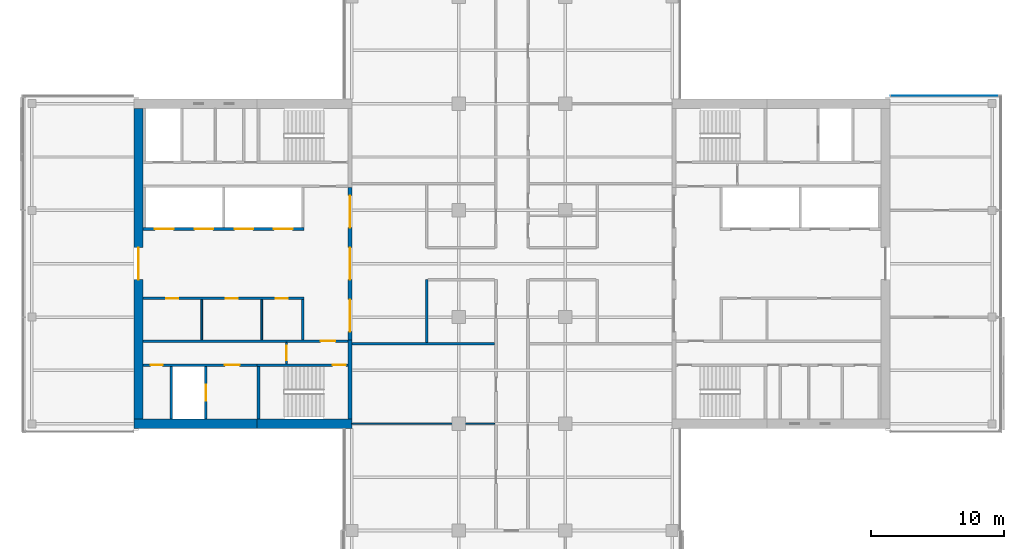
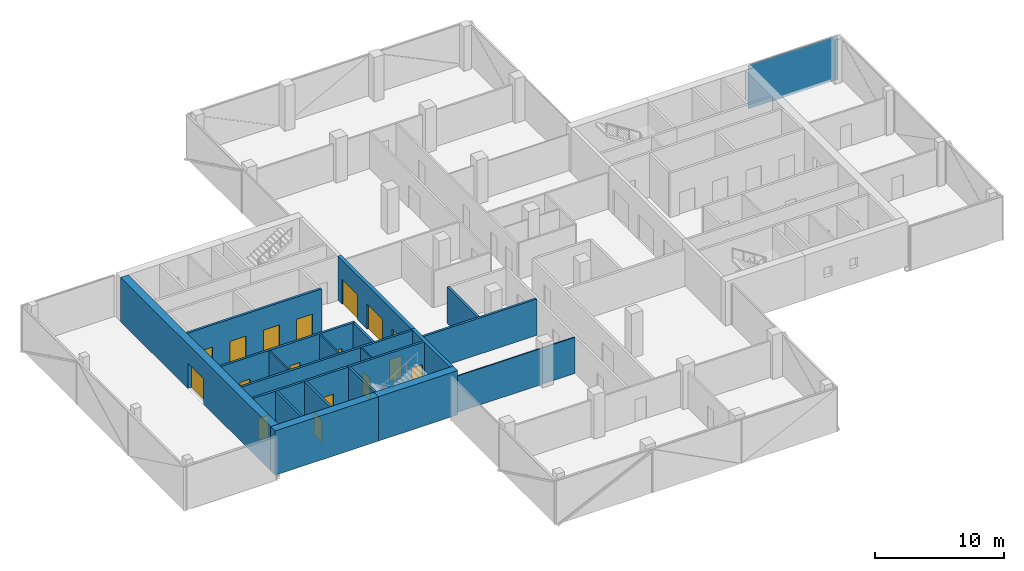
# One storey, part 13 of 22: 20 walls, 17 doors, 1 plate, 17 openings, 1 element without a shape of its own.
"""IFC4 building model written with IfcOpenShell, lengths in metres."""

from ifc_helpers import new_model, si_unit, direction, frame, frame_2d, origin, place, context, subcontext, project, spatial, polyline, rectangle, outline, extrude, material, layer, layer_set, constituent, constituent_set, type_object, element, fill, aggregate, save


model = new_model("IFC4")

# Units and contexts
model_context = context("Model", 3, precision=1e-05, world=origin(), true_north=direction((0.0, 1.0)))
body_context = subcontext(model_context, "Body", "Model", "MODEL_VIEW")
ifc_project = project(units=[si_unit("LENGTHUNIT", "METRE"), si_unit("AREAUNIT", "SQUARE_METRE"), si_unit("VOLUMEUNIT", "CUBIC_METRE"), si_unit("PLANEANGLEUNIT", "RADIAN"), si_unit("MASSUNIT", "GRAM", prefix="KILO")], contexts=[model_context])

# Site, building, storey
site_placement = place(None, origin())
site = spatial("IfcSite", under=ifc_project, at=site_placement, CompositionType="ELEMENT")
building_placement = place(site_placement, origin())
building = spatial("IfcBuilding", under=site, at=building_placement, Name="Crosswind Convention Tower", CompositionType="ELEMENT")
storey_placement = place(building_placement, frame((0.0, 0.0, 150.5)))
storey = spatial("IfcBuildingStorey", under=building, at=storey_placement, Name="L31", CompositionType="ELEMENT", Elevation=150.5)

# Curtain wall, plate
ifc_material_1 = material(Name="Aluminium unitised curtain wall", Category="aluminium")
curtain_wall_type = type_object("IfcCurtainWallType", Name="CORE END SLOT WALL 160", PredefinedType="USERDEFINED", material=ifc_material_1)
curtain_wall_placement = place(storey_placement, origin())
curtain_wall = element("IfcCurtainWall", 1, at=curtain_wall_placement, inside=storey, type_object=curtain_wall_type, Name="CW6 L31 E-N.1-1 slot", ObjectType="UNITISED", PredefinedType="USERDEFINED")
ifc_material_2 = material(Name="Laminated insulating glass unit", Category="glass")
ifc_layer_1 = layer(ifc_material_2, 0.02587890625)
ifc_layer_set_1 = layer_set([ifc_layer_1], Name="TRIANGULAR GLASS PANEL 26")
plate_type = type_object("IfcPlateType", Name="TRIANGULAR GLASS PANEL 26", PredefinedType="CURTAIN_PANEL", material=ifc_layer_set_1)
plate_placement = place(storey_placement, frame((161.449951171875, 112.60693359375, -0.300048828125), z_axis=(0.0, 0.999999915215, 0.000411788894), x_axis=(-1.0, 0.0, 0.0)))
plate = element("IfcPlate", 2, at=plate_placement, type_object=plate_type, Name="CW6 panel 1.1", PredefinedType="CURTAIN_PANEL", context=body_context, shape_type="SweptSolid", body=[
    extrude(outline(polyline([(0.0, 0.0), (8.050048828125, 0.0), (8.050048828125, 4.150146836245408), (0.0, 4.150146836245408), (0.0, 0.0)])), origin(), (0.0, 0.0, -1.0), 0.02587890625),
])
aggregate(curtain_wall, [plate])

# Walls
ifc_material_3 = material(Name="Concrete blockwork", Category="masonry")
ifc_layer_2 = layer(ifc_material_3, 0.199951171875)
ifc_layer_set_2 = layer_set([ifc_layer_2], Name="COMPARTMENT WALL 200 BLOCKWORK")
wall_type_1 = type_object("IfcWallType", Name="COMPARTMENT WALL 200 BLOCKWORK", PredefinedType="SOLIDWALL", material=ifc_layer_set_2)
wall_1_placement = place(storey_placement, frame((118.60009765625, 94.10009765625, 0.0), z_axis=(0.0, 0.0, 1.0), x_axis=(0.0, 1.0, 0.0)))
element("IfcWall", 3, at=wall_1_placement, inside=storey, type_object=wall_type_1, Name="Compartment wall WT42", PredefinedType="SOLIDWALL", context=body_context, shape_type="SweptSolid", body=[
    extrude(rectangle(XDim=4.699951171875, YDim=0.199951171875, at=frame_2d((2.35009765625, 0.0))), origin(), (0.0, 0.0, 1.0), 3.436279296875),
])
wall_2_placement = place(storey_placement, frame((113.0, 94.0, 0.0), z_axis=(0.0, 0.0, 1.0), x_axis=(1.0, 0.0, 0.0)))
element("IfcWall", 4, at=wall_2_placement, inside=storey, type_object=wall_type_1, Name="Compartment wall WT42", PredefinedType="SOLIDWALL", context=body_context, shape_type="SweptSolid", body=[
    extrude(rectangle(XDim=10.699951171875, YDim=0.199951171875, at=frame_2d((5.35009765625, 0.0))), origin(), (0.0, 0.0, 1.0), 3.436279296875),
])

# Wall, opening, door
ifc_material_4 = material(Name="Concrete C60/75", Category="concrete")
ifc_layer_3 = layer(ifc_material_4, 0.699951171875)
ifc_layer_set_3 = layer_set([ifc_layer_3], Name="Concrete C60/75")
wall_type_2 = type_object("IfcWallType", Name="Concrete core wall 700", PredefinedType="SHEAR", material=ifc_layer_set_3)
wall_3_placement = place(storey_placement, frame((97.0, 111.64990234375, 0.0), z_axis=(0.0, 0.0, 1.0), x_axis=(0.0, -1.0, 0.0)))
wall_3 = element("IfcWall", 5, at=wall_3_placement, inside=storey, type_object=wall_type_2, Name="Wall O W L31", PredefinedType="SHEAR", context=body_context, shape_type="SweptSolid", body=[
    extrude(rectangle(XDim=23.2998046875, YDim=0.699951171875, at=frame_2d((11.64990234375, 0.0))), origin(), (0.0, 0.0, 1.0), 4.199951171875),
])
opening_1_placement = place(wall_3_placement, frame((10.449951171875, 0.0, 0.0)))
opening_1 = element("IfcOpeningElement", 6, at=opening_1_placement, cuts=wall_3, Name="Opening D100", PredefinedType="OPENING", context=body_context, shape_type="SweptSolid", body=[
    extrude(rectangle(XDim=2.39990234375, YDim=2.39990234375, at=frame_2d((1.199951171875, 1.199951171875))), frame((0.0, 0.35986328125, 0.0), z_axis=(0.0, -1.0, 0.0), x_axis=(1.0, 0.0, 0.0)), (0.0, 0.0, 1.0), 0.719970703125),
])
ifc_material_5 = material(Name="Steel fire door with glazed vision panels", Category="steel")
door_type_1 = type_object("IfcDoorType", Name="Fire-rated double door 2400x2400", OperationType="DOUBLE_DOOR_SINGLE_SWING", PredefinedType="DOOR", material=ifc_material_5)
door_1_placement = place(opening_1_placement, frame((2.39990234375, 0.0, 0.0), z_axis=(0.0, 0.0, 1.0), x_axis=(-1.0, 0.0, 0.0)))
door_1 = element("IfcDoor", 7, at=door_1_placement, inside=storey, type_object=door_type_1, Name="Lobby outer door L31", ObjectType="D100", OperationType="DOUBLE_DOOR_SINGLE_SWING", OverallHeight=2.39990234375, OverallWidth=2.39990234375, PredefinedType="DOOR", context=body_context, shape_type="SweptSolid", body=[
    extrude(rectangle(XDim=2.39990234375, YDim=2.39990234375, at=frame_2d((1.199951171875, 1.199951171875))), frame((0.0, 0.02490234375, 0.0), z_axis=(0.0, -1.0, 0.0), x_axis=(1.0, 0.0, 0.0)), (0.0, 0.0, 1.0), 0.050048828125),
])
fill(opening_1, door_1)

# Wall, openings, doors
ifc_material_6 = material(Name="Concrete C50/60", Category="concrete")
ifc_layer_4 = layer(ifc_material_6, 0.300048828125)
ifc_layer_set_4 = layer_set([ifc_layer_4], Name="Concrete C50/60")
wall_type_3 = type_object("IfcWallType", Name="Concrete inner core wall 300", PredefinedType="SHEAR", material=ifc_layer_set_4)
wall_4_placement = place(storey_placement, frame((112.85009765625, 105.699951171875, 0.0), z_axis=(0.0, 0.0, 1.0), x_axis=(0.0, -1.0, 0.0)))
wall_4 = element("IfcWall", 8, at=wall_4_placement, inside=storey, type_object=wall_type_3, Name="Wall SCR W L31", PredefinedType="SHEAR", context=body_context, shape_type="SweptSolid", body=[
    extrude(rectangle(XDim=11.39990234375, YDim=0.300048828125, at=frame_2d((5.699951171875, 0.0))), origin(), (0.0, 0.0, 1.0), 4.199951171875),
])
opening_2_placement = place(wall_4_placement, frame((0.60009765625, 0.0, 0.0)))
opening_2 = element("IfcOpeningElement", 9, at=opening_2_placement, cuts=wall_4, Name="Opening D100", PredefinedType="OPENING", context=body_context, shape_type="SweptSolid", body=[
    extrude(rectangle(XDim=2.39990234375, YDim=2.39990234375, at=frame_2d((1.199951171875, 1.199951171875))), frame((0.0, 0.159912109375, 0.0), z_axis=(0.0, -1.0, 0.0), x_axis=(1.0, 0.0, 0.0)), (0.0, 0.0, 1.0), 0.320068359375),
])
opening_3_placement = place(wall_4_placement, frame((4.5, 0.0, 0.0)))
opening_3 = element("IfcOpeningElement", 10, at=opening_3_placement, cuts=wall_4, Name="Opening D100", PredefinedType="OPENING", context=body_context, shape_type="SweptSolid", body=[
    extrude(rectangle(XDim=2.39990234375, YDim=2.39990234375, at=frame_2d((1.199951171875, 1.199951171875))), frame((0.0, 0.159912109375, 0.0), z_axis=(0.0, -1.0, 0.0), x_axis=(1.0, 0.0, 0.0)), (0.0, 0.0, 1.0), 0.320068359375),
])
opening_4_placement = place(wall_4_placement, frame((8.39990234375, 0.0, 0.0)))
opening_4 = element("IfcOpeningElement", 11, at=opening_4_placement, cuts=wall_4, Name="Opening D100", PredefinedType="OPENING", context=body_context, shape_type="SweptSolid", body=[
    extrude(rectangle(XDim=2.39990234375, YDim=2.39990234375, at=frame_2d((1.199951171875, 1.199951171875))), frame((0.0, 0.159912109375, 0.0), z_axis=(0.0, -1.0, 0.0), x_axis=(1.0, 0.0, 0.0)), (0.0, 0.0, 1.0), 0.320068359375),
])
door_2_placement = place(opening_2_placement, origin())
door_2 = element("IfcDoor", 12, at=door_2_placement, inside=storey, type_object=door_type_1, Name="Lobby door 1 L31", ObjectType="D100", OperationType="DOUBLE_DOOR_SINGLE_SWING", OverallHeight=2.39990234375, OverallWidth=2.39990234375, PredefinedType="DOOR", context=body_context, shape_type="SweptSolid", body=[
    extrude(rectangle(XDim=2.39990234375, YDim=2.39990234375, at=frame_2d((1.199951171875, 1.199951171875))), frame((0.0, 0.02490234375, 0.0), z_axis=(0.0, -1.0, 0.0), x_axis=(1.0, 0.0, 0.0)), (0.0, 0.0, 1.0), 0.050048828125),
])
fill(opening_2, door_2)
door_3_placement = place(opening_3_placement, origin())
door_3 = element("IfcDoor", 13, at=door_3_placement, inside=storey, type_object=door_type_1, Name="Lobby door 2 L31", ObjectType="D100", OperationType="DOUBLE_DOOR_SINGLE_SWING", OverallHeight=2.39990234375, OverallWidth=2.39990234375, PredefinedType="DOOR", context=body_context, shape_type="SweptSolid", body=[
    extrude(rectangle(XDim=2.39990234375, YDim=2.39990234375, at=frame_2d((1.199951171875, 1.199951171875))), frame((0.0, 0.02490234375, 0.0), z_axis=(0.0, -1.0, 0.0), x_axis=(1.0, 0.0, 0.0)), (0.0, 0.0, 1.0), 0.050048828125),
])
fill(opening_3, door_3)
door_4_placement = place(opening_4_placement, origin())
door_4 = element("IfcDoor", 14, at=door_4_placement, inside=storey, type_object=door_type_1, Name="Lobby door 3 L31", ObjectType="D100", OperationType="DOUBLE_DOOR_SINGLE_SWING", OverallHeight=2.39990234375, OverallWidth=2.39990234375, PredefinedType="DOOR", context=body_context, shape_type="SweptSolid", body=[
    extrude(rectangle(XDim=2.39990234375, YDim=2.39990234375, at=frame_2d((1.199951171875, 1.199951171875))), frame((0.0, 0.02490234375, 0.0), z_axis=(0.0, -1.0, 0.0), x_axis=(1.0, 0.0, 0.0)), (0.0, 0.0, 1.0), 0.050048828125),
])
fill(opening_4, door_4)

# Walls
wall_5_placement = place(storey_placement, frame((112.85009765625, 94.300048828125, 0.0), z_axis=(0.0, 0.0, 1.0), x_axis=(0.0, -1.0, 0.0)))
element("IfcWall", 15, at=wall_5_placement, inside=storey, type_object=wall_type_3, Name="Wall EP W L31", PredefinedType="SHEAR", context=body_context, shape_type="SweptSolid", body=[
    extrude(rectangle(XDim=5.949951171875, YDim=0.300048828125, at=frame_2d((2.97509765625, 0.0))), origin(), (0.0, 0.0, 1.0), 4.199951171875),
])
ifc_layer_5 = layer(ifc_material_6, 0.199951171875)
ifc_layer_set_5 = layer_set([ifc_layer_5], Name="Concrete C50/60")
wall_type_4 = type_object("IfcWallType", Name="Concrete shaft and stair wall 200", PredefinedType="SHEAR", material=ifc_layer_set_5)
wall_6_placement = place(storey_placement, frame((109.300048828125, 97.300048828125, 0.0), z_axis=(0.0, 0.0, 1.0), x_axis=(0.0, -1.0, 0.0)))
element("IfcWall", 16, at=wall_6_placement, inside=storey, type_object=wall_type_4, Name="Wall RPEND W L31", PredefinedType="SHEAR", context=body_context, shape_type="SweptSolid", body=[
    extrude(rectangle(XDim=3.0, YDim=0.199951171875, at=frame_2d((1.5, 0.0))), origin(), (0.0, 0.0, 1.0), 4.199951171875),
])

# Wall, openings, doors
wall_7_placement = place(storey_placement, frame((109.39990234375, 97.39990234375, 0.0), z_axis=(0.0, 0.0, 1.0), x_axis=(-1.0, 0.0, 0.0)))
wall_7 = element("IfcWall", 17, at=wall_7_placement, inside=storey, type_object=wall_type_4, Name="Wall RPFRONT W L31", PredefinedType="SHEAR", context=body_context, shape_type="SweptSolid", body=[
    extrude(rectangle(XDim=12.0498046875, YDim=0.199951171875, at=frame_2d((6.02490234375, 0.0))), origin(), (0.0, 0.0, 1.0), 4.199951171875),
])
opening_5_placement = place(wall_7_placement, frame((1.199951171875, 0.0, 0.0)))
opening_5 = element("IfcOpeningElement", 18, at=opening_5_placement, cuts=wall_7, Name="Opening D106", PredefinedType="OPENING", context=body_context, shape_type="SweptSolid", body=[
    extrude(rectangle(XDim=0.89990234375, YDim=2.10009765625, at=frame_2d((0.449951171875, 1.050048828125))), frame((0.0, 0.10986328125, 0.0), z_axis=(0.0, -1.0, 0.0), x_axis=(1.0, 0.0, 0.0)), (0.0, 0.0, 1.0), 0.219970703125),
])
opening_6_placement = place(wall_7_placement, frame((4.964111328125, 0.0, 0.0)))
opening_6 = element("IfcOpeningElement", 19, at=opening_6_placement, cuts=wall_7, Name="Opening D106", PredefinedType="OPENING", context=body_context, shape_type="SweptSolid", body=[
    extrude(rectangle(XDim=0.89990234375, YDim=2.10009765625, at=frame_2d((0.449951171875, 1.050048828125))), frame((0.0, 0.10986328125, 0.0), z_axis=(0.0, -1.0, 0.0), x_axis=(1.0, 0.0, 0.0)), (0.0, 0.0, 1.0), 0.219970703125),
])
opening_7_placement = place(wall_7_placement, frame((9.43896484375, 0.0, 0.0)))
opening_7 = element("IfcOpeningElement", 20, at=opening_7_placement, cuts=wall_7, Name="Opening D106", PredefinedType="OPENING", context=body_context, shape_type="SweptSolid", body=[
    extrude(rectangle(XDim=0.89990234375, YDim=2.10009765625, at=frame_2d((0.449951171875, 1.050048828125))), frame((0.0, 0.10986328125, 0.0), z_axis=(0.0, -1.0, 0.0), x_axis=(1.0, 0.0, 0.0)), (0.0, 0.0, 1.0), 0.219970703125),
])
ifc_material_7 = material(Name="Timber door", Category="wood")
door_type_2 = type_object("IfcDoorType", Name="Single leaf door 900x2100", OperationType="NOTDEFINED", PredefinedType="DOOR", material=ifc_material_7)
door_5_placement = place(opening_5_placement, origin())
door_5 = element("IfcDoor", 21, at=door_5_placement, inside=storey, type_object=door_type_2, Name="Door to meeting room L31", ObjectType="D106", OperationType="SINGLE_SWING_RIGHT", OverallHeight=2.10009765625, OverallWidth=0.89990234375, PredefinedType="DOOR", context=body_context, shape_type="SweptSolid", body=[
    extrude(rectangle(XDim=0.89990234375, YDim=2.10009765625, at=frame_2d((0.449951171875, 1.050048828125))), frame((0.0, 0.02490234375, 0.0), z_axis=(0.0, -1.0, 0.0), x_axis=(1.0, 0.0, 0.0)), (0.0, 0.0, 1.0), 0.050048828125),
])
fill(opening_5, door_5)
door_6_placement = place(opening_6_placement, origin())
door_6 = element("IfcDoor", 22, at=door_6_placement, inside=storey, type_object=door_type_2, Name="Door to pantry L31", ObjectType="D106", OperationType="SINGLE_SWING_RIGHT", OverallHeight=2.10009765625, OverallWidth=0.89990234375, PredefinedType="DOOR", context=body_context, shape_type="SweptSolid", body=[
    extrude(rectangle(XDim=0.89990234375, YDim=2.10009765625, at=frame_2d((0.449951171875, 1.050048828125))), frame((0.0, 0.02490234375, 0.0), z_axis=(0.0, -1.0, 0.0), x_axis=(1.0, 0.0, 0.0)), (0.0, 0.0, 1.0), 0.050048828125),
])
fill(opening_6, door_6)
door_7_placement = place(opening_7_placement, origin())
door_7 = element("IfcDoor", 23, at=door_7_placement, inside=storey, type_object=door_type_2, Name="Door to telecoms room L31", ObjectType="D106", OperationType="SINGLE_SWING_RIGHT", OverallHeight=2.10009765625, OverallWidth=0.89990234375, PredefinedType="DOOR", context=body_context, shape_type="SweptSolid", body=[
    extrude(rectangle(XDim=0.89990234375, YDim=2.10009765625, at=frame_2d((0.449951171875, 1.050048828125))), frame((0.0, 0.02490234375, 0.0), z_axis=(0.0, -1.0, 0.0), x_axis=(1.0, 0.0, 0.0)), (0.0, 0.0, 1.0), 0.050048828125),
])
fill(opening_7, door_7)

wall_8_placement = place(storey_placement, frame((109.39990234375, 102.60009765625, 0.0), z_axis=(0.0, 0.0, 1.0), x_axis=(-1.0, 0.0, 0.0)))
wall_8 = element("IfcWall", 24, at=wall_8_placement, inside=storey, type_object=wall_type_4, Name="Wall RMFRONT W L31", PredefinedType="SHEAR", context=body_context, shape_type="SweptSolid", body=[
    extrude(rectangle(XDim=12.0498046875, YDim=0.199951171875, at=frame_2d((6.02490234375, 0.0))), origin(), (0.0, 0.0, 1.0), 4.199951171875),
])
opening_8_placement = place(wall_8_placement, frame((0.85009765625, 0.0, 0.0)))
opening_8 = element("IfcOpeningElement", 25, at=opening_8_placement, cuts=wall_8, Name="Opening LD2", PredefinedType="OPENING", context=body_context, shape_type="SweptSolid", body=[
    extrude(rectangle(XDim=1.39990234375, YDim=2.10009765625, at=frame_2d((0.699951171875, 1.050048828125))), frame((0.0, 0.10986328125, 0.0), z_axis=(0.0, -1.0, 0.0), x_axis=(1.0, 0.0, 0.0)), (0.0, 0.0, 1.0), 0.219970703125),
])
opening_9_placement = place(wall_8_placement, frame((3.800048828125, 0.0, 0.0)))
opening_9 = element("IfcOpeningElement", 26, at=opening_9_placement, cuts=wall_8, Name="Opening LD2", PredefinedType="OPENING", context=body_context, shape_type="SweptSolid", body=[
    extrude(rectangle(XDim=1.39990234375, YDim=2.10009765625, at=frame_2d((0.699951171875, 1.050048828125))), frame((0.0, 0.10986328125, 0.0), z_axis=(0.0, -1.0, 0.0), x_axis=(1.0, 0.0, 0.0)), (0.0, 0.0, 1.0), 0.219970703125),
])
opening_10_placement = place(wall_8_placement, frame((6.800048828125, 0.0, 0.0)))
opening_10 = element("IfcOpeningElement", 27, at=opening_10_placement, cuts=wall_8, Name="Opening LD2", PredefinedType="OPENING", context=body_context, shape_type="SweptSolid", body=[
    extrude(rectangle(XDim=1.39990234375, YDim=2.10009765625, at=frame_2d((0.699951171875, 1.050048828125))), frame((0.0, 0.10986328125, 0.0), z_axis=(0.0, -1.0, 0.0), x_axis=(1.0, 0.0, 0.0)), (0.0, 0.0, 1.0), 0.219970703125),
])
opening_11_placement = place(wall_8_placement, frame((9.77490234375, 0.0, 0.0)))
opening_11 = element("IfcOpeningElement", 28, at=opening_11_placement, cuts=wall_8, Name="Opening LD2", PredefinedType="OPENING", context=body_context, shape_type="SweptSolid", body=[
    extrude(rectangle(XDim=1.39990234375, YDim=2.10009765625, at=frame_2d((0.699951171875, 1.050048828125))), frame((0.0, 0.10986328125, 0.0), z_axis=(0.0, -1.0, 0.0), x_axis=(1.0, 0.0, 0.0)), (0.0, 0.0, 1.0), 0.219970703125),
])
ifc_material_8 = material(Name="Stainless steel", Category="steel")
door_type_3 = type_object("IfcDoorType", Name="Lift landing door 1400x2100", OperationType="DOUBLE_DOOR_SLIDING", PredefinedType="DOOR", material=ifc_material_8)
door_8_placement = place(opening_8_placement, origin())
door_8 = element("IfcDoor", 29, at=door_8_placement, inside=storey, type_object=door_type_3, Name="Landing door A5 L31", ObjectType="LD2", OperationType="DOUBLE_DOOR_SLIDING", OverallHeight=2.10009765625, OverallWidth=1.39990234375, PredefinedType="DOOR", context=body_context, shape_type="SweptSolid", body=[
    extrude(rectangle(XDim=1.39990234375, YDim=2.10009765625, at=frame_2d((0.699951171875, 1.050048828125))), frame((0.0, 0.02490234375, 0.0), z_axis=(0.0, -1.0, 0.0), x_axis=(1.0, 0.0, 0.0)), (0.0, 0.0, 1.0), 0.050048828125),
])
fill(opening_8, door_8)
door_9_placement = place(opening_9_placement, origin())
door_9 = element("IfcDoor", 30, at=door_9_placement, inside=storey, type_object=door_type_3, Name="Landing door A6 L31", ObjectType="LD2", OperationType="DOUBLE_DOOR_SLIDING", OverallHeight=2.10009765625, OverallWidth=1.39990234375, PredefinedType="DOOR", context=body_context, shape_type="SweptSolid", body=[
    extrude(rectangle(XDim=1.39990234375, YDim=2.10009765625, at=frame_2d((0.699951171875, 1.050048828125))), frame((0.0, 0.02490234375, 0.0), z_axis=(0.0, -1.0, 0.0), x_axis=(1.0, 0.0, 0.0)), (0.0, 0.0, 1.0), 0.050048828125),
])
fill(opening_9, door_9)
door_10_placement = place(opening_10_placement, origin())
door_10 = element("IfcDoor", 31, at=door_10_placement, inside=storey, type_object=door_type_3, Name="Landing door A7 L31", ObjectType="LD2", OperationType="DOUBLE_DOOR_SLIDING", OverallHeight=2.10009765625, OverallWidth=1.39990234375, PredefinedType="DOOR", context=body_context, shape_type="SweptSolid", body=[
    extrude(rectangle(XDim=1.39990234375, YDim=2.10009765625, at=frame_2d((0.699951171875, 1.050048828125))), frame((0.0, 0.02490234375, 0.0), z_axis=(0.0, -1.0, 0.0), x_axis=(1.0, 0.0, 0.0)), (0.0, 0.0, 1.0), 0.050048828125),
])
fill(opening_10, door_10)
door_11_placement = place(opening_11_placement, origin())
door_11 = element("IfcDoor", 32, at=door_11_placement, inside=storey, type_object=door_type_3, Name="Landing door A8 L31", ObjectType="LD2", OperationType="DOUBLE_DOOR_SLIDING", OverallHeight=2.10009765625, OverallWidth=1.39990234375, PredefinedType="DOOR", context=body_context, shape_type="SweptSolid", body=[
    extrude(rectangle(XDim=1.39990234375, YDim=2.10009765625, at=frame_2d((0.699951171875, 1.050048828125))), frame((0.0, 0.02490234375, 0.0), z_axis=(0.0, -1.0, 0.0), x_axis=(1.0, 0.0, 0.0)), (0.0, 0.0, 1.0), 0.050048828125),
])
fill(opening_11, door_11)

# Wall, opening, door
wall_9_placement = place(storey_placement, frame((112.699951171875, 94.199951171875, 0.0), z_axis=(0.0, 0.0, 1.0), x_axis=(-1.0, 0.0, 0.0)))
wall_9 = element("IfcWall", 33, at=wall_9_placement, inside=storey, type_object=wall_type_4, Name="Wall HP W L31", PredefinedType="SHEAR", context=body_context, shape_type="SweptSolid", body=[
    extrude(rectangle(XDim=15.349853515625, YDim=0.199951171875, at=frame_2d((7.6748046875, 0.0))), origin(), (0.0, 0.0, 1.0), 4.199951171875),
])
opening_12_placement = place(wall_9_placement, frame((0.949951171875, 0.0, 0.0)))
opening_12 = element("IfcOpeningElement", 34, at=opening_12_placement, cuts=wall_9, Name="Opening D104", PredefinedType="OPENING", context=body_context, shape_type="SweptSolid", body=[
    extrude(rectangle(XDim=1.10009765625, YDim=2.10009765625, at=frame_2d((0.550048828125, 1.050048828125))), frame((0.0, 0.10986328125, 0.0), z_axis=(0.0, -1.0, 0.0), x_axis=(1.0, 0.0, 0.0)), (0.0, 0.0, 1.0), 0.219970703125),
])
ifc_material_9 = material(Name="Steel fire door", Category="steel")
door_type_4 = type_object("IfcDoorType", Name="Fire-rated single door 1100x2100", OperationType="NOTDEFINED", PredefinedType="DOOR", material=ifc_material_9)
door_12_placement = place(opening_12_placement, origin())
door_12 = element("IfcDoor", 35, at=door_12_placement, inside=storey, type_object=door_type_4, Name="Corridor door L31", ObjectType="D104", OperationType="SINGLE_SWING_LEFT", OverallHeight=2.10009765625, OverallWidth=1.10009765625, PredefinedType="DOOR", context=body_context, shape_type="SweptSolid", body=[
    extrude(rectangle(XDim=1.10009765625, YDim=2.10009765625, at=frame_2d((0.550048828125, 1.050048828125))), frame((0.0, 0.02490234375, 0.0), z_axis=(0.0, -1.0, 0.0), x_axis=(1.0, 0.0, 0.0)), (0.0, 0.0, 1.0), 0.050048828125),
])
fill(opening_12, door_12)

# Wall
wall_10_placement = place(storey_placement, frame((106.0, 92.300048828125, 0.0), z_axis=(0.0, 0.0, 1.0), x_axis=(0.0, -1.0, 0.0)))
element("IfcWall", 36, at=wall_10_placement, inside=storey, type_object=wall_type_4, Name="Wall PSE W L31", PredefinedType="SHEAR", context=body_context, shape_type="SweptSolid", body=[
    extrude(rectangle(XDim=3.949951171875, YDim=0.199951171875, at=frame_2d((1.97509765625, 0.0))), origin(), (0.0, 0.0, 1.0), 4.199951171875),
])

# Wall, opening, door
wall_11_placement = place(storey_placement, frame((102.050048828125, 92.300048828125, 0.0), z_axis=(0.0, 0.0, 1.0), x_axis=(0.0, -1.0, 0.0)))
wall_11 = element("IfcWall", 37, at=wall_11_placement, inside=storey, type_object=wall_type_4, Name="Wall PFLW W L31", PredefinedType="SHEAR", context=body_context, shape_type="SweptSolid", body=[
    extrude(rectangle(XDim=3.949951171875, YDim=0.199951171875, at=frame_2d((1.97509765625, 0.0))), origin(), (0.0, 0.0, 1.0), 4.199951171875),
])
opening_13_placement = place(wall_11_placement, frame((1.375, 0.0, 0.0)))
opening_13 = element("IfcOpeningElement", 38, at=opening_13_placement, cuts=wall_11, Name="Opening LD1", PredefinedType="OPENING", context=body_context, shape_type="SweptSolid", body=[
    extrude(rectangle(XDim=1.199951171875, YDim=2.10009765625, at=frame_2d((0.60009765625, 1.050048828125))), frame((0.0, 0.10986328125, 0.0), z_axis=(0.0, -1.0, 0.0), x_axis=(1.0, 0.0, 0.0)), (0.0, 0.0, 1.0), 0.219970703125),
])
door_type_5 = type_object("IfcDoorType", Name="Lift landing door 1200x2100", OperationType="DOUBLE_DOOR_SLIDING", PredefinedType="DOOR", material=ifc_material_8)
door_13_placement = place(opening_13_placement, origin())
door_13 = element("IfcDoor", 39, at=door_13_placement, inside=storey, type_object=door_type_5, Name="Landing door FF2 L31", ObjectType="LD1", OperationType="DOUBLE_DOOR_SLIDING", OverallHeight=2.10009765625, OverallWidth=1.199951171875, PredefinedType="DOOR", context=body_context, shape_type="SweptSolid", body=[
    extrude(rectangle(XDim=1.199951171875, YDim=2.10009765625, at=frame_2d((0.60009765625, 1.050048828125))), frame((0.0, 0.02490234375, 0.0), z_axis=(0.0, -1.0, 0.0), x_axis=(1.0, 0.0, 0.0)), (0.0, 0.0, 1.0), 0.050048828125),
])
fill(opening_13, door_13)

# Wall
wall_12_placement = place(storey_placement, frame((99.449951171875, 92.300048828125, 0.0), z_axis=(0.0, 0.0, 1.0), x_axis=(0.0, -1.0, 0.0)))
element("IfcWall", 40, at=wall_12_placement, inside=storey, type_object=wall_type_4, Name="Wall PFSE W L31", PredefinedType="SHEAR", context=body_context, shape_type="SweptSolid", body=[
    extrude(rectangle(XDim=3.949951171875, YDim=0.199951171875, at=frame_2d((1.97509765625, 0.0))), origin(), (0.0, 0.0, 1.0), 4.199951171875),
])

# Wall, opening, door
wall_13_placement = place(storey_placement, frame((112.699951171875, 92.39990234375, 0.0), z_axis=(0.0, 0.0, 1.0), x_axis=(-1.0, 0.0, 0.0)))
wall_13 = element("IfcWall", 41, at=wall_13_placement, inside=storey, type_object=wall_type_4, Name="Wall PCW W L31", PredefinedType="SHEAR", context=body_context, shape_type="SweptSolid", body=[
    extrude(rectangle(XDim=6.800048828125, YDim=0.199951171875, at=frame_2d((3.39990234375, 0.0))), origin(), (0.0, 0.0, 1.0), 4.199951171875),
])
opening_14_placement = place(wall_13_placement, frame((0.14990234375, 0.0, 0.0)))
opening_14 = element("IfcOpeningElement", 42, at=opening_14_placement, cuts=wall_13, Name="Opening D103", PredefinedType="OPENING", context=body_context, shape_type="SweptSolid", body=[
    extrude(rectangle(XDim=1.0, YDim=2.10009765625, at=frame_2d((0.5, 1.050048828125))), frame((0.0, 0.10986328125, 0.0), z_axis=(0.0, -1.0, 0.0), x_axis=(1.0, 0.0, 0.0)), (0.0, 0.0, 1.0), 0.219970703125),
])
door_type_6 = type_object("IfcDoorType", Name="Fire-rated single door 1000x2100", OperationType="NOTDEFINED", PredefinedType="DOOR", material=ifc_material_9)
door_14_placement = place(opening_14_placement, origin())
door_14 = element("IfcDoor", 43, at=door_14_placement, inside=storey, type_object=door_type_6, Name="Stair ST3 door L31", ObjectType="D103", OperationType="SINGLE_SWING_LEFT", OverallHeight=2.10009765625, OverallWidth=1.0, PredefinedType="DOOR", context=body_context, shape_type="SweptSolid", body=[
    extrude(rectangle(XDim=1.0, YDim=2.10009765625, at=frame_2d((0.5, 1.050048828125))), frame((0.0, 0.02490234375, 0.0), z_axis=(0.0, -1.0, 0.0), x_axis=(1.0, 0.0, 0.0)), (0.0, 0.0, 1.0), 0.050048828125),
])
fill(opening_14, door_14)

# Wall, openings, doors
wall_14_placement = place(storey_placement, frame((105.89990234375, 92.39990234375, 0.0), z_axis=(0.0, 0.0, 1.0), x_axis=(-1.0, 0.0, 0.0)))
wall_14 = element("IfcWall", 44, at=wall_14_placement, inside=storey, type_object=wall_type_4, Name="Wall PCX W L31", PredefinedType="SHEAR", context=body_context, shape_type="SweptSolid", body=[
    extrude(rectangle(XDim=8.5498046875, YDim=0.199951171875, at=frame_2d((4.27490234375, 0.0))), origin(), (0.0, 0.0, 1.0), 4.199951171875),
])
opening_15_placement = place(wall_14_placement, frame((1.324951171875, 0.0, 0.0)))
opening_15 = element("IfcOpeningElement", 45, at=opening_15_placement, cuts=wall_14, Name="Opening D104", PredefinedType="OPENING", context=body_context, shape_type="SweptSolid", body=[
    extrude(rectangle(XDim=1.10009765625, YDim=2.10009765625, at=frame_2d((0.550048828125, 1.050048828125))), frame((0.0, 0.10986328125, 0.0), z_axis=(0.0, -1.0, 0.0), x_axis=(1.0, 0.0, 0.0)), (0.0, 0.0, 1.0), 0.219970703125),
])
opening_16_placement = place(wall_14_placement, frame((7.10009765625, 0.0, 0.0)))
opening_16 = element("IfcOpeningElement", 46, at=opening_16_placement, cuts=wall_14, Name="Opening D106", PredefinedType="OPENING", context=body_context, shape_type="SweptSolid", body=[
    extrude(rectangle(XDim=0.89990234375, YDim=2.10009765625, at=frame_2d((0.449951171875, 1.050048828125))), frame((0.0, 0.10986328125, 0.0), z_axis=(0.0, -1.0, 0.0), x_axis=(1.0, 0.0, 0.0)), (0.0, 0.0, 1.0), 0.219970703125),
])
door_15_placement = place(opening_15_placement, origin())
door_15 = element("IfcDoor", 47, at=door_15_placement, inside=storey, type_object=door_type_4, Name="Fire-fighting lobby FF2 door L31", ObjectType="D104", OperationType="SINGLE_SWING_RIGHT", OverallHeight=2.10009765625, OverallWidth=1.10009765625, PredefinedType="DOOR", context=body_context, shape_type="SweptSolid", body=[
    extrude(rectangle(XDim=1.10009765625, YDim=2.10009765625, at=frame_2d((0.550048828125, 1.050048828125))), frame((0.0, 0.02490234375, 0.0), z_axis=(0.0, -1.0, 0.0), x_axis=(1.0, 0.0, 0.0)), (0.0, 0.0, 1.0), 0.050048828125),
])
fill(opening_15, door_15)
door_16_placement = place(opening_16_placement, origin())
door_16 = element("IfcDoor", 48, at=door_16_placement, inside=storey, type_object=door_type_2, Name="Door to cleaners' store L31", ObjectType="D106", OperationType="SINGLE_SWING_RIGHT", OverallHeight=2.10009765625, OverallWidth=0.89990234375, PredefinedType="DOOR", context=body_context, shape_type="SweptSolid", body=[
    extrude(rectangle(XDim=0.89990234375, YDim=2.10009765625, at=frame_2d((0.449951171875, 1.050048828125))), frame((0.0, 0.02490234375, 0.0), z_axis=(0.0, -1.0, 0.0), x_axis=(1.0, 0.0, 0.0)), (0.0, 0.0, 1.0), 0.050048828125),
])
fill(opening_16, door_16)

# Walls
ifc_material_10 = material(Name="Gypsum plasterboard partition", Category="gypsum")
ifc_layer_6 = layer(ifc_material_10, 0.125)
ifc_layer_set_6 = layer_set([ifc_layer_6], Name="Drywall partition wall 125")
wall_type_5 = type_object("IfcWallType", Name="Drywall partition wall 125", PredefinedType="PARTITIONING", material=ifc_layer_set_6)
for number, where, z_axis, x_axis, name in (
    (49, (106.237548828125, 97.300048828125, 0.0), (0.0, 0.0, 1.0), (0.0, -1.0, 0.0), "Wall RPP1 W L31"),
    (50, (101.734619140625, 97.300048828125, 0.0), (0.0, 0.0, 1.0), (0.0, -1.0, 0.0), "Wall RPP2 W L31"),
):
    element("IfcWall", number, at=place(storey_placement, frame(where, z_axis=z_axis, x_axis=x_axis)), inside=storey, type_object=wall_type_5, Name=name, PredefinedType="PARTITIONING", context=body_context, shape_type="SweptSolid", body=[
        extrude(rectangle(XDim=3.0, YDim=0.125, at=frame_2d((1.5, 0.0))), origin(), (0.0, 0.0, 1.0), 4.199951171875),
    ])

# Wall, opening, door
wall_15_placement = place(storey_placement, frame((108.10009765625, 94.10009765625, 0.0), z_axis=(0.0, 0.0, 1.0), x_axis=(0.0, -1.0, 0.0)))
wall_15 = element("IfcWall", 51, at=wall_15_placement, inside=storey, type_object=wall_type_5, Name="Wall PXC1 W L31", PredefinedType="PARTITIONING", context=body_context, shape_type="SweptSolid", body=[
    extrude(rectangle(XDim=1.60009765625, YDim=0.125, at=frame_2d((0.800048828125, 0.0))), origin(), (0.0, 0.0, 1.0), 4.199951171875),
])
opening_17_placement = place(wall_15_placement, frame((0.25, 0.0, 0.0)))
opening_17 = element("IfcOpeningElement", 52, at=opening_17_placement, cuts=wall_15, Name="Opening D104", PredefinedType="OPENING", context=body_context, shape_type="SweptSolid", body=[
    extrude(rectangle(XDim=1.10009765625, YDim=2.10009765625, at=frame_2d((0.550048828125, 1.050048828125))), frame((0.0, 0.072509765625, 0.0), z_axis=(0.0, -1.0, 0.0), x_axis=(1.0, 0.0, 0.0)), (0.0, 0.0, 1.0), 0.14501953125),
])
door_17_placement = place(opening_17_placement, origin())
door_17 = element("IfcDoor", 53, at=door_17_placement, inside=storey, type_object=door_type_4, Name="Corridor smoke door L31", ObjectType="D104", OperationType="SINGLE_SWING_RIGHT", OverallHeight=2.10009765625, OverallWidth=1.10009765625, PredefinedType="DOOR", context=body_context, shape_type="SweptSolid", body=[
    extrude(rectangle(XDim=1.10009765625, YDim=2.10009765625, at=frame_2d((0.550048828125, 1.050048828125))), frame((0.0, 0.02490234375, 0.0), z_axis=(0.0, -1.0, 0.0), x_axis=(1.0, 0.0, 0.0)), (0.0, 0.0, 1.0), 0.050048828125),
])
fill(opening_17, door_17)

# Walls
ifc_material_11 = material(Name="Plasterboard partition", Category="gypsum")
ifc_layer_7 = layer(ifc_material_11, 0.10009765625)
ifc_layer_set_7 = layer_set([ifc_layer_7], Name="PARTITION 100 METAL STUD")
wall_type_6 = type_object("IfcWallType", Name="PARTITION 100 METAL STUD", PredefinedType="PARTITIONING", material=ifc_layer_set_7)
wall_16_placement = place(storey_placement, frame((113.0, 88.0, 0.0), z_axis=(0.0, 0.0, 1.0), x_axis=(1.0, 0.0, 0.0)))
element("IfcWall", 54, at=wall_16_placement, inside=storey, type_object=wall_type_6, Name="Partition wall WT40", PredefinedType="PARTITIONING", context=body_context, shape_type="SweptSolid", body=[
    extrude(rectangle(XDim=10.699951171875, YDim=0.10009765625, at=frame_2d((5.35009765625, 0.0))), origin(), (0.0, 0.0, 1.0), 3.436279296875),
])
ifc_constituent_1 = constituent(ifc_material_4, Name="Structure")
ifc_material_12 = material(Name="Terracotta rainscreen", Category="ceramic")
ifc_constituent_2 = constituent(ifc_material_12, Name="Facing")
ifc_constituent_set = constituent_set(constituents=[ifc_constituent_1, ifc_constituent_2], Name="Concrete C60/75, Terracotta rainscreen")
wall_type_7 = type_object("IfcWallType", Name="Terracotta rainscreen on concrete core wall 700", PredefinedType="SHEAR", material=ifc_constituent_set)
wall_17_placement = place(storey_placement, frame((113.0, 88.0, 0.0), z_axis=(0.0, 0.0, 1.0), x_axis=(-1.0, 0.0, 0.0)))
element("IfcWall", 55, at=wall_17_placement, inside=storey, type_object=wall_type_7, Name="Wall N1 W L31", PredefinedType="SHEAR", context=body_context, shape_type="SweptSolid", body=[
    extrude(rectangle(XDim=7.10009765625, YDim=0.699951171875, at=frame_2d((3.550048828125, 0.0))), origin(), (0.0, 0.0, 1.0), 4.199951171875),
])
wall_18_placement = place(storey_placement, frame((105.89990234375, 88.0, 0.0), z_axis=(0.0, 0.0, 1.0), x_axis=(-1.0, 0.0, 0.0)))
element("IfcWall", 56, at=wall_18_placement, inside=storey, type_object=wall_type_7, Name="Wall N2 W L31", PredefinedType="SHEAR", context=body_context, shape_type="SweptSolid", body=[
    extrude(rectangle(XDim=9.25, YDim=0.699951171875, at=frame_2d((4.625, 0.0))), origin(), (0.0, 0.0, 1.0), 4.199951171875),
])

save(model, "model.ifc")
